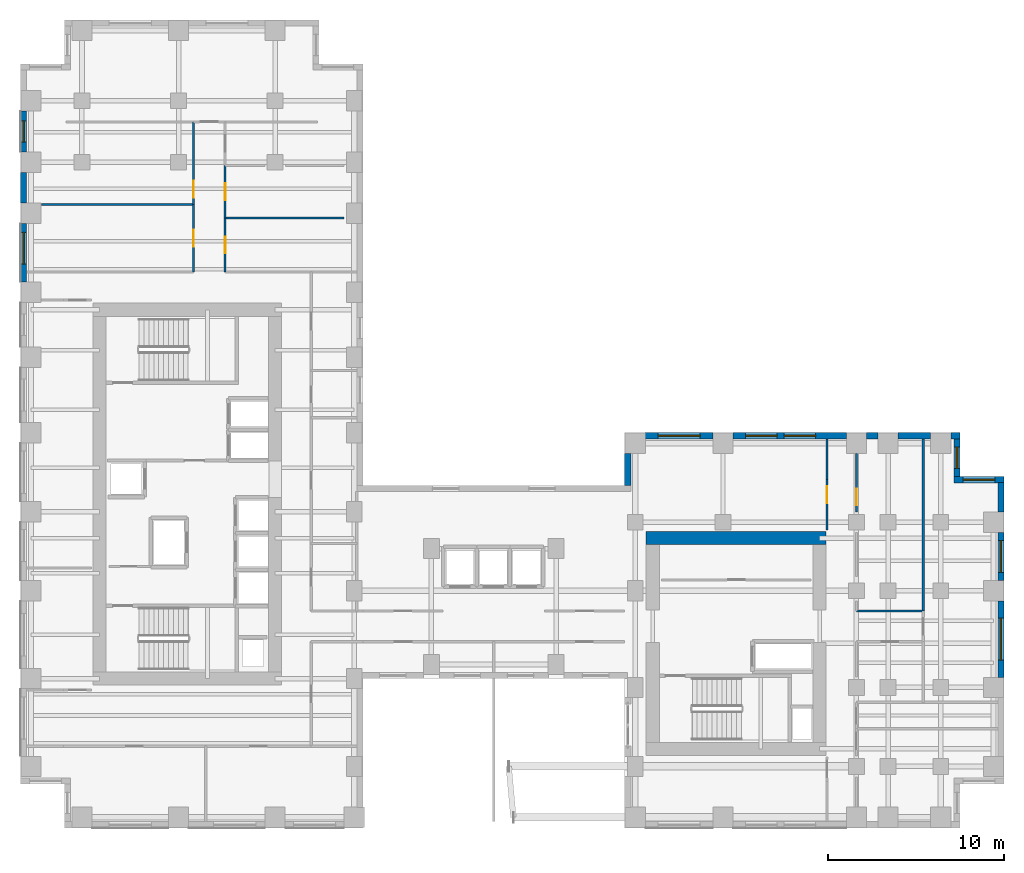
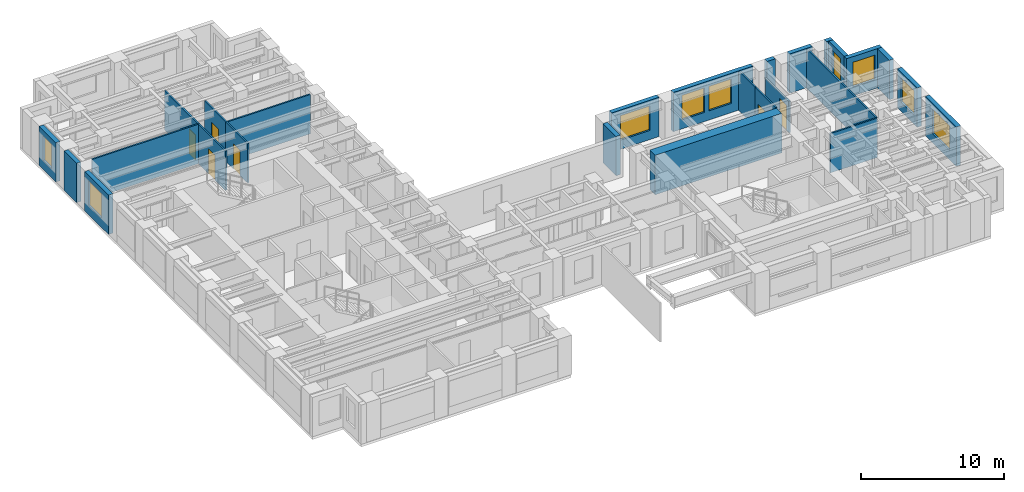
# One storey, part 11 of 14: 26 walls, 9 windows, 6 doors, 15 openings.
"""IFC4 building model written with IfcOpenShell, lengths in metres."""

from ifc_helpers import new_model, si_unit, direction, frame, frame_2d, origin, place, context, subcontext, project, spatial, rectangle, extrude, source, transform, mapped, material, layer, layer_set, type_object, element, fill, save


model = new_model("IFC4")

# Units and contexts
model_context = context("Model", 3, precision=1e-05, world=origin(), true_north=direction((0.0, 1.0)))
body_context = subcontext(model_context, "Body", "Model", "MODEL_VIEW")
ifc_project = project(units=[si_unit("LENGTHUNIT", "METRE"), si_unit("AREAUNIT", "SQUARE_METRE"), si_unit("VOLUMEUNIT", "CUBIC_METRE"), si_unit("PLANEANGLEUNIT", "RADIAN"), si_unit("MASSUNIT", "GRAM", prefix="KILO")], contexts=[model_context])

# Site, building, storey
site_placement = place(None, origin())
site = spatial("IfcSite", under=ifc_project, at=site_placement, CompositionType="ELEMENT")
building_placement = place(site_placement, origin())
building = spatial("IfcBuilding", under=site, at=building_placement, Name="Kharzan Plaza Tower", CompositionType="ELEMENT")
storey_placement = place(building_placement, frame((0.0, 0.0, 102.60009765625)))
storey = spatial("IfcBuildingStorey", under=building, at=storey_placement, Name="L27", CompositionType="ELEMENT", Elevation=102.60009765625)

# Wall, opening, window
ifc_material_1 = material(Name="Concrete C40/50", Category="concrete")
ifc_layer_1 = layer(ifc_material_1, 0.35009765625)
ifc_layer_set_1 = layer_set([ifc_layer_1], Name="Concrete C40/50")
wall_type_1 = type_object("IfcWallType", Name="WL-EXT-MAS-Z2", PredefinedType="SOLIDWALL", material=ifc_layer_set_1)
wall_1_placement = place(storey_placement, frame((0.175048828125, 40.826904296875, 0.0), z_axis=(0.0, 0.0, 1.0), x_axis=(0.0, -1.0, 0.0)))
wall_1 = element("IfcWall", 1, at=wall_1_placement, inside=storey, type_object=wall_type_1, Name="L27 Masonry-Frame Exterior Wall 17", PredefinedType="SOLIDWALL", context=body_context, shape_type="SweptSolid", body=[
    extrude(rectangle(XDim=2.35400390625, YDim=0.35009765625, at=frame_2d((1.177001953125, 0.0))), origin(), (0.0, 0.0, 1.0), 3.364990234375),
])
opening_1_placement = place(wall_1_placement, frame((0.576904296875, 0.0, 0.780029296875)))
opening_1 = element("IfcOpeningElement", 2, at=opening_1_placement, cuts=wall_1, Name="Opening W3", PredefinedType="OPENING", context=body_context, shape_type="SweptSolid", body=[
    extrude(rectangle(XDim=1.199951171875, YDim=2.10009765625, at=frame_2d((0.60009765625, 1.050048828125))), frame((0.0, 0.18505859375, 0.0), z_axis=(0.0, -1.0, 0.0), x_axis=(1.0, 0.0, 0.0)), (0.0, 0.0, 1.0), 0.3701171875),
])
ifc_material_2 = material(Name="Low-E Double Glazing", Category="glass")
window_type_1 = type_object("IfcWindowType", Name="WN-REC-1200x2100", PartitioningType="SINGLE_PANEL", PredefinedType="WINDOW", material=ifc_material_2)
shared_shape_1 = source(origin(), body_context, "Body", "SweptSolid", [
    extrude(rectangle(XDim=1.199951171875, YDim=2.10009765625, at=frame_2d((0.60009765625, 1.050048828125))), frame((0.0, 0.030029296875, 0.0), z_axis=(0.0, -1.0, 0.0), x_axis=(1.0, 0.0, 0.0)), (0.0, 0.0, 1.0), 0.06005859375),
])
window_1_placement = place(opening_1_placement, origin())
window_1 = element("IfcWindow", 3, at=window_1_placement, inside=storey, type_object=window_type_1, Name="L27 Recessed Solar-Control Window 17-1", OverallHeight=2.10009765625, OverallWidth=1.199951171875, PartitioningType="SINGLE_PANEL", PredefinedType="WINDOW", context=body_context, shape_type="MappedRepresentation", body=[
    mapped(shared_shape_1, transform((0.0, 0.0, 0.0), x_axis=(1.0, 0.0, 0.0), y_axis=(0.0, 1.0, 0.0), z_axis=(0.0, 0.0, 1.0))),
])
fill(opening_1, window_1)

wall_2_placement = place(storey_placement, frame((0.175048828125, 34.427001953125, 0.0), z_axis=(0.0, 0.0, 1.0), x_axis=(0.0, -1.0, 0.0)))
wall_2 = element("IfcWall", 4, at=wall_2_placement, inside=storey, type_object=wall_type_1, Name="L27 Masonry-Frame Exterior Wall 19", PredefinedType="SOLIDWALL", context=body_context, shape_type="SweptSolid", body=[
    extrude(rectangle(XDim=3.35400390625, YDim=0.35009765625, at=frame_2d((1.677001953125, 0.0))), origin(), (0.0, 0.0, 1.0), 3.364990234375),
])
opening_2_placement = place(wall_2_placement, frame((0.5234375, 0.0, 0.780029296875)))
opening_2 = element("IfcOpeningElement", 5, at=opening_2_placement, cuts=wall_2, Name="Opening W1", PredefinedType="OPENING", context=body_context, shape_type="SweptSolid", body=[
    extrude(rectangle(XDim=1.800048828125, YDim=2.10009765625, at=frame_2d((0.89990234375, 1.050048828125))), frame((0.0, 0.18505859375, 0.0), z_axis=(0.0, -1.0, 0.0), x_axis=(1.0, 0.0, 0.0)), (0.0, 0.0, 1.0), 0.3701171875),
])
window_type_2 = type_object("IfcWindowType", Name="WN-REC-1800x2100", PartitioningType="SINGLE_PANEL", PredefinedType="WINDOW", material=ifc_material_2)
shared_shape_2 = source(origin(), body_context, "Body", "SweptSolid", [
    extrude(rectangle(XDim=1.800048828125, YDim=2.10009765625, at=frame_2d((0.89990234375, 1.050048828125))), frame((0.0, 0.030029296875, 0.0), z_axis=(0.0, -1.0, 0.0), x_axis=(1.0, 0.0, 0.0)), (0.0, 0.0, 1.0), 0.06005859375),
])
window_2_placement = place(opening_2_placement, origin())
window_2 = element("IfcWindow", 6, at=window_2_placement, inside=storey, type_object=window_type_2, Name="L27 Recessed Solar-Control Window 19-1", OverallHeight=2.10009765625, OverallWidth=1.800048828125, PartitioningType="SINGLE_PANEL", PredefinedType="WINDOW", context=body_context, shape_type="MappedRepresentation", body=[
    mapped(shared_shape_2, transform((0.0, 0.0, 0.0), x_axis=(1.0, 0.0, 0.0), y_axis=(0.0, 1.0, 0.0), z_axis=(0.0, 0.0, 1.0))),
])
fill(opening_2, window_2)

wall_3_placement = place(storey_placement, frame((55.824951171875, 8.572998046875, 0.0), z_axis=(0.0, 0.0, 1.0), x_axis=(0.0, 1.0, 0.0)))
wall_3 = element("IfcWall", 7, at=wall_3_placement, inside=storey, type_object=wall_type_1, Name="L27 Masonry-Frame Exterior Wall 48", PredefinedType="SOLIDWALL", context=body_context, shape_type="SweptSolid", body=[
    extrude(rectangle(XDim=4.35400390625, YDim=0.35009765625, at=frame_2d((2.177001953125, 0.0))), origin(), (0.0, 0.0, 1.0), 3.364990234375),
])
opening_3_placement = place(wall_3_placement, frame((0.97705078125, 0.0, 0.780029296875)))
opening_3 = element("IfcOpeningElement", 8, at=opening_3_placement, cuts=wall_3, Name="Opening W2", PredefinedType="OPENING", context=body_context, shape_type="SweptSolid", body=[
    extrude(rectangle(XDim=2.39990234375, YDim=2.10009765625, at=frame_2d((1.199951171875, 1.050048828125))), frame((0.0, 0.18505859375, 0.0), z_axis=(0.0, -1.0, 0.0), x_axis=(1.0, 0.0, 0.0)), (0.0, 0.0, 1.0), 0.3701171875),
])
window_type_3 = type_object("IfcWindowType", Name="WN-REC-2400x2100", PartitioningType="SINGLE_PANEL", PredefinedType="WINDOW", material=ifc_material_2)
shared_shape_3 = source(origin(), body_context, "Body", "SweptSolid", [
    extrude(rectangle(XDim=2.39990234375, YDim=2.10009765625, at=frame_2d((1.199951171875, 1.050048828125))), frame((0.0, 0.030029296875, 0.0), z_axis=(0.0, -1.0, 0.0), x_axis=(1.0, 0.0, 0.0)), (0.0, 0.0, 1.0), 0.06005859375),
])
window_3_placement = place(opening_3_placement, origin())
window_3 = element("IfcWindow", 9, at=window_3_placement, inside=storey, type_object=window_type_3, Name="L27 Wide Recessed Solar-Control Window 48-1", OverallHeight=2.10009765625, OverallWidth=2.39990234375, PartitioningType="SINGLE_PANEL", PredefinedType="WINDOW", context=body_context, shape_type="MappedRepresentation", body=[
    mapped(shared_shape_3, transform((0.0, 0.0, 0.0), x_axis=(1.0, 0.0, 0.0), y_axis=(0.0, 1.0, 0.0), z_axis=(0.0, 0.0, 1.0))),
])
fill(opening_3, window_3)

wall_4_placement = place(storey_placement, frame((55.824951171875, 14.072998046875, 0.0), z_axis=(0.0, 0.0, 1.0), x_axis=(0.0, 1.0, 0.0)))
wall_4 = element("IfcWall", 10, at=wall_4_placement, inside=storey, type_object=wall_type_1, Name="L27 Masonry-Frame Exterior Wall 49", PredefinedType="SOLIDWALL", context=body_context, shape_type="SweptSolid", body=[
    extrude(rectangle(XDim=2.75390625, YDim=0.35009765625, at=frame_2d((1.376953125, 0.0))), origin(), (0.0, 0.0, 1.0), 3.364990234375),
])
opening_4_placement = place(wall_4_placement, frame((0.47705078125, 0.0, 0.780029296875)))
opening_4 = element("IfcOpeningElement", 11, at=opening_4_placement, cuts=wall_4, Name="Opening W1", PredefinedType="OPENING", context=body_context, shape_type="SweptSolid", body=[
    extrude(rectangle(XDim=1.800048828125, YDim=2.10009765625, at=frame_2d((0.89990234375, 1.050048828125))), frame((0.0, 0.18505859375, 0.0), z_axis=(0.0, -1.0, 0.0), x_axis=(1.0, 0.0, 0.0)), (0.0, 0.0, 1.0), 0.3701171875),
])
window_4_placement = place(opening_4_placement, origin())
window_4 = element("IfcWindow", 12, at=window_4_placement, inside=storey, type_object=window_type_2, Name="L27 Recessed Solar-Control Window 49-1", OverallHeight=2.10009765625, OverallWidth=1.800048828125, PartitioningType="SINGLE_PANEL", PredefinedType="WINDOW", context=body_context, shape_type="MappedRepresentation", body=[
    mapped(shared_shape_2, transform((0.0, 0.0, 0.0), x_axis=(1.0, 0.0, 0.0), y_axis=(0.0, 1.0, 0.0), z_axis=(0.0, 0.0, 1.0))),
])
fill(opening_4, window_4)

wall_5_placement = place(storey_placement, frame((56.0, 19.824951171875, 0.0), z_axis=(0.0, 0.0, 1.0), x_axis=(-1.0, 0.0, 0.0)))
wall_5 = element("IfcWall", 13, at=wall_5_placement, inside=storey, type_object=wall_type_1, Name="L27 Masonry-Frame Exterior Wall 51", PredefinedType="SOLIDWALL", context=body_context, shape_type="SweptSolid", body=[
    extrude(rectangle(XDim=2.85009765625, YDim=0.35009765625, at=frame_2d((1.425048828125, 0.0))), origin(), (0.0, 0.0, 1.0), 3.364990234375),
])
opening_5_placement = place(wall_5_placement, frame((0.52490234375, 0.0, 0.780029296875)))
opening_5 = element("IfcOpeningElement", 14, at=opening_5_placement, cuts=wall_5, Name="Opening W1", PredefinedType="OPENING", context=body_context, shape_type="SweptSolid", body=[
    extrude(rectangle(XDim=1.800048828125, YDim=2.10009765625, at=frame_2d((0.89990234375, 1.050048828125))), frame((0.0, 0.18505859375, 0.0), z_axis=(0.0, -1.0, 0.0), x_axis=(1.0, 0.0, 0.0)), (0.0, 0.0, 1.0), 0.3701171875),
])
window_5_placement = place(opening_5_placement, origin())
window_5 = element("IfcWindow", 15, at=window_5_placement, inside=storey, type_object=window_type_2, Name="L27 Recessed Solar-Control Window 51-1", OverallHeight=2.10009765625, OverallWidth=1.800048828125, PartitioningType="SINGLE_PANEL", PredefinedType="WINDOW", context=body_context, shape_type="MappedRepresentation", body=[
    mapped(shared_shape_2, transform((0.0, 0.0, 0.0), x_axis=(1.0, 0.0, 0.0), y_axis=(0.0, 1.0, 0.0), z_axis=(0.0, 0.0, 1.0))),
])
fill(opening_5, window_5)

wall_6_placement = place(storey_placement, frame((53.324951171875, 19.998046875, 0.0), z_axis=(0.0, 0.0, 1.0), x_axis=(0.0, 1.0, 0.0)))
wall_6 = element("IfcWall", 16, at=wall_6_placement, inside=storey, type_object=wall_type_1, Name="L27 Masonry-Frame Exterior Wall 52", PredefinedType="SOLIDWALL", context=body_context, shape_type="SweptSolid", body=[
    extrude(rectangle(XDim=2.154052734375, YDim=0.35009765625, at=frame_2d((1.0771484375, 0.0))), origin(), (0.0, 0.0, 1.0), 3.364990234375),
])
opening_6_placement = place(wall_6_placement, frame((0.47705078125, 0.0, 0.780029296875)))
opening_6 = element("IfcOpeningElement", 17, at=opening_6_placement, cuts=wall_6, Name="Opening W3", PredefinedType="OPENING", context=body_context, shape_type="SweptSolid", body=[
    extrude(rectangle(XDim=1.199951171875, YDim=2.10009765625, at=frame_2d((0.60009765625, 1.050048828125))), frame((0.0, 0.18505859375, 0.0), z_axis=(0.0, -1.0, 0.0), x_axis=(1.0, 0.0, 0.0)), (0.0, 0.0, 1.0), 0.3701171875),
])
window_6_placement = place(opening_6_placement, origin())
window_6 = element("IfcWindow", 18, at=window_6_placement, inside=storey, type_object=window_type_1, Name="L27 Recessed Solar-Control Window 52-1", OverallHeight=2.10009765625, OverallWidth=1.199951171875, PartitioningType="SINGLE_PANEL", PredefinedType="WINDOW", context=body_context, shape_type="MappedRepresentation", body=[
    mapped(shared_shape_1, transform((0.0, 0.0, 0.0), x_axis=(1.0, 0.0, 0.0), y_axis=(0.0, 1.0, 0.0), z_axis=(0.0, 0.0, 1.0))),
])
fill(opening_6, window_6)

# Wall, openings, windows
wall_7_placement = place(storey_placement, frame((47.027099609375, 22.324951171875, 0.0), z_axis=(0.0, 0.0, 1.0), x_axis=(-1.0, 0.0, 0.0)))
wall_7 = element("IfcWall", 19, at=wall_7_placement, inside=storey, type_object=wall_type_1, Name="L27 Masonry-Frame Exterior Wall 56", PredefinedType="SOLIDWALL", context=body_context, shape_type="SweptSolid", body=[
    extrude(rectangle(XDim=6.4541015625, YDim=0.35009765625, at=frame_2d((3.22705078125, 0.0))), origin(), (0.0, 0.0, 1.0), 3.364990234375),
])
opening_7_placement = place(wall_7_placement, frame((1.749267578125, 0.0, 0.780029296875)))
opening_7 = element("IfcOpeningElement", 20, at=opening_7_placement, cuts=wall_7, Name="Opening W1", PredefinedType="OPENING", context=body_context, shape_type="SweptSolid", body=[
    extrude(rectangle(XDim=1.800048828125, YDim=2.10009765625, at=frame_2d((0.89990234375, 1.050048828125))), frame((0.0, 0.18505859375, 0.0), z_axis=(0.0, -1.0, 0.0), x_axis=(1.0, 0.0, 0.0)), (0.0, 0.0, 1.0), 0.3701171875),
])
opening_8_placement = place(wall_7_placement, frame((3.941650390625, 0.0, 0.780029296875)))
opening_8 = element("IfcOpeningElement", 21, at=opening_8_placement, cuts=wall_7, Name="Opening W1", PredefinedType="OPENING", context=body_context, shape_type="SweptSolid", body=[
    extrude(rectangle(XDim=1.800048828125, YDim=2.10009765625, at=frame_2d((0.89990234375, 1.050048828125))), frame((0.0, 0.18505859375, 0.0), z_axis=(0.0, -1.0, 0.0), x_axis=(1.0, 0.0, 0.0)), (0.0, 0.0, 1.0), 0.3701171875),
])
window_7_placement = place(opening_7_placement, origin())
window_7 = element("IfcWindow", 22, at=window_7_placement, inside=storey, type_object=window_type_2, Name="L27 Recessed Solar-Control Window 56-1", OverallHeight=2.10009765625, OverallWidth=1.800048828125, PartitioningType="SINGLE_PANEL", PredefinedType="WINDOW", context=body_context, shape_type="MappedRepresentation", body=[
    mapped(shared_shape_2, transform((0.0, 0.0, 0.0), x_axis=(1.0, 0.0, 0.0), y_axis=(0.0, 1.0, 0.0), z_axis=(0.0, 0.0, 1.0))),
])
fill(opening_7, window_7)
window_8_placement = place(opening_8_placement, origin())
window_8 = element("IfcWindow", 23, at=window_8_placement, inside=storey, type_object=window_type_2, Name="L27 Recessed Solar-Control Window 56-2", OverallHeight=2.10009765625, OverallWidth=1.800048828125, PartitioningType="SINGLE_PANEL", PredefinedType="WINDOW", context=body_context, shape_type="MappedRepresentation", body=[
    mapped(shared_shape_2, transform((0.0, 0.0, 0.0), x_axis=(1.0, 0.0, 0.0), y_axis=(0.0, 1.0, 0.0), z_axis=(0.0, 0.0, 1.0))),
])
fill(opening_8, window_8)

# Wall, opening, window
wall_8_placement = place(storey_placement, frame((39.427001953125, 22.324951171875, 0.0), z_axis=(0.0, 0.0, 1.0), x_axis=(-1.0, 0.0, 0.0)))
wall_8 = element("IfcWall", 24, at=wall_8_placement, inside=storey, type_object=wall_type_1, Name="L27 Masonry-Frame Exterior Wall 57", PredefinedType="SOLIDWALL", context=body_context, shape_type="SweptSolid", body=[
    extrude(rectangle(XDim=3.85400390625, YDim=0.35009765625, at=frame_2d((1.927001953125, 0.0))), origin(), (0.0, 0.0, 1.0), 3.364990234375),
])
opening_9_placement = place(wall_8_placement, frame((0.72705078125, 0.0, 0.780029296875)))
opening_9 = element("IfcOpeningElement", 25, at=opening_9_placement, cuts=wall_8, Name="Opening W2", PredefinedType="OPENING", context=body_context, shape_type="SweptSolid", body=[
    extrude(rectangle(XDim=2.39990234375, YDim=2.10009765625, at=frame_2d((1.199951171875, 1.050048828125))), frame((0.0, 0.18505859375, 0.0), z_axis=(0.0, -1.0, 0.0), x_axis=(1.0, 0.0, 0.0)), (0.0, 0.0, 1.0), 0.3701171875),
])
window_9_placement = place(opening_9_placement, origin())
window_9 = element("IfcWindow", 26, at=window_9_placement, inside=storey, type_object=window_type_3, Name="L27 Wide Recessed Solar-Control Window 57-1", OverallHeight=2.10009765625, OverallWidth=2.39990234375, PartitioningType="SINGLE_PANEL", PredefinedType="WINDOW", context=body_context, shape_type="MappedRepresentation", body=[
    mapped(shared_shape_3, transform((0.0, 0.0, 0.0), x_axis=(1.0, 0.0, 0.0), y_axis=(0.0, 1.0, 0.0), z_axis=(0.0, 0.0, 1.0))),
])
fill(opening_9, window_9)

# Wall, opening, door
ifc_material_3 = material(Name="Fire-Rated Gypsum Board Partition", Category="gypsum")
ifc_layer_2 = layer(ifc_material_3, 0.125)
ifc_layer_set_2 = layer_set([ifc_layer_2], Name="Fire-Rated Gypsum Board Partition")
wall_type_2 = type_object("IfcWallType", Name="WL-INT-PART-125", PredefinedType="PARTITIONING", material=ifc_layer_set_2)
wall_9_placement = place(storey_placement, frame((47.60009765625, 17.989990234375, 0.0), z_axis=(0.0, 0.0, 1.0), x_axis=(0.0, 1.0, 0.0)))
wall_9 = element("IfcWall", 27, at=wall_9_placement, inside=storey, type_object=wall_type_2, Name="L27 Interior Partition SH-B2W3D-S2", PredefinedType="PARTITIONING", context=body_context, shape_type="SweptSolid", body=[
    extrude(rectangle(XDim=3.320068359375, YDim=0.125, at=frame_2d((1.66015625, 0.0))), origin(), (0.0, 0.0, 1.0), 2.677001953125),
])
opening_10_placement = place(wall_9_placement, frame((0.381103515625, 0.0, 0.0)))
opening_10 = element("IfcOpeningElement", 28, at=opening_10_placement, cuts=wall_9, Name="Opening OD1", PredefinedType="OPENING", context=body_context, shape_type="SweptSolid", body=[
    extrude(rectangle(XDim=0.949951171875, YDim=2.14990234375, at=frame_2d((0.47509765625, 1.074951171875))), frame((0.0, 0.072509765625, 0.0), z_axis=(0.0, -1.0, 0.0), x_axis=(1.0, 0.0, 0.0)), (0.0, 0.0, 1.0), 0.14501953125),
])
ifc_material_4 = material(Name="Acoustic Solid-Core Stained Oak", Category="timber")
door_type = type_object("IfcDoorType", Name="DR-OFF-SINGLE", OperationType="NOTDEFINED", PredefinedType="DOOR", material=ifc_material_4)
shared_shape_4 = source(origin(), body_context, "Body", "SweptSolid", [
    extrude(rectangle(XDim=0.949951171875, YDim=2.14990234375, at=frame_2d((0.47509765625, 1.074951171875))), frame((0.0, 0.02490234375, 0.0), z_axis=(0.0, -1.0, 0.0), x_axis=(1.0, 0.0, 0.0)), (0.0, 0.0, 1.0), 0.050048828125),
])
door_1_placement = place(opening_10_placement, origin())
door_1 = element("IfcDoor", 29, at=door_1_placement, inside=storey, type_object=door_type, Name="L27 Spur North Office Door", OperationType="SINGLE_SWING_RIGHT", OverallHeight=2.14990234375, OverallWidth=0.949951171875, PredefinedType="DOOR", context=body_context, shape_type="MappedRepresentation", body=[
    mapped(shared_shape_4, transform((0.0, 0.0, 0.0), x_axis=(1.0, 0.0, 0.0), y_axis=(0.0, 1.0, 0.0), z_axis=(0.0, 0.0, 1.0))),
])
fill(opening_10, door_1)

wall_10_placement = place(storey_placement, frame((45.919921875, 16.949951171875, 0.0), z_axis=(0.0, 0.0, 1.0), x_axis=(0.0, 1.0, 0.0)))
wall_10 = element("IfcWall", 30, at=wall_10_placement, inside=storey, type_object=wall_type_2, Name="L27 Interior Partition SH-RBNE", PredefinedType="PARTITIONING", context=body_context, shape_type="SweptSolid", body=[
    extrude(rectangle(XDim=2.900146484375, YDim=0.125, at=frame_2d((1.4501953125, 0.0))), origin(), (0.0, 0.0, 1.0), 3.364990234375),
])
opening_11_placement = place(wall_10_placement, frame((1.54296875, 0.0, 0.0)))
opening_11 = element("IfcOpeningElement", 31, at=opening_11_placement, cuts=wall_10, Name="Opening OD1", PredefinedType="OPENING", context=body_context, shape_type="SweptSolid", body=[
    extrude(rectangle(XDim=0.949951171875, YDim=2.14990234375, at=frame_2d((0.47509765625, 1.074951171875))), frame((0.0, 0.072509765625, 0.0), z_axis=(0.0, -1.0, 0.0), x_axis=(1.0, 0.0, 0.0)), (0.0, 0.0, 1.0), 0.14501953125),
])
door_2_placement = place(opening_11_placement, origin())
door_2 = element("IfcDoor", 32, at=door_2_placement, inside=storey, type_object=door_type, Name="L27 Wing B North Studio Door", OperationType="SINGLE_SWING_LEFT", OverallHeight=2.14990234375, OverallWidth=0.949951171875, PredefinedType="DOOR", context=body_context, shape_type="MappedRepresentation", body=[
    mapped(shared_shape_4, transform((0.0, 0.0, 0.0), x_axis=(1.0, 0.0, 0.0), y_axis=(0.0, 1.0, 0.0), z_axis=(0.0, 0.0, 1.0))),
])
fill(opening_11, door_2)

wall_11_placement = place(storey_placement, frame((11.64990234375, 31.64990234375, 0.0), z_axis=(0.0, 0.0, 1.0), x_axis=(0.0, 1.0, 0.0)))
wall_11 = element("IfcWall", 33, at=wall_11_placement, inside=storey, type_object=wall_type_2, Name="L27 Interior Partition SH-SPE-1", PredefinedType="PARTITIONING", context=body_context, shape_type="SweptSolid", body=[
    extrude(rectangle(XDim=3.078125, YDim=0.125, at=frame_2d((1.5390625, 0.0))), origin(), (0.0, 0.0, 1.0), 3.364990234375),
])
opening_12_placement = place(wall_11_placement, frame((1.06396484375, 0.0, 0.0)))
opening_12 = element("IfcOpeningElement", 34, at=opening_12_placement, cuts=wall_11, Name="Opening OD1", PredefinedType="OPENING", context=body_context, shape_type="SweptSolid", body=[
    extrude(rectangle(XDim=0.949951171875, YDim=2.14990234375, at=frame_2d((0.47509765625, 1.074951171875))), frame((0.0, 0.072509765625, 0.0), z_axis=(0.0, -1.0, 0.0), x_axis=(1.0, 0.0, 0.0)), (0.0, 0.0, 1.0), 0.14501953125),
])
door_3_placement = place(opening_12_placement, origin())
door_3 = element("IfcDoor", 35, at=door_3_placement, inside=storey, type_object=door_type, Name="L27 Cybersecurity Operations Office Door", OperationType="SINGLE_SWING_LEFT", OverallHeight=2.14990234375, OverallWidth=0.949951171875, PredefinedType="DOOR", context=body_context, shape_type="MappedRepresentation", body=[
    mapped(shared_shape_4, transform((0.0, 0.0, 0.0), x_axis=(1.0, 0.0, 0.0), y_axis=(0.0, 1.0, 0.0), z_axis=(0.0, 0.0, 1.0))),
])
fill(opening_12, door_3)

wall_12_placement = place(storey_placement, frame((11.64990234375, 34.72802734375, 0.0), z_axis=(0.0, 0.0, 1.0), x_axis=(0.0, 1.0, 0.0)))
wall_12 = element("IfcWall", 36, at=wall_12_placement, inside=storey, type_object=wall_type_2, Name="L27 Interior Partition SH-SPE-2", PredefinedType="PARTITIONING", context=body_context, shape_type="SweptSolid", body=[
    extrude(rectangle(XDim=2.992919921875, YDim=0.125, at=frame_2d((1.49658203125, 0.0))), origin(), (0.0, 0.0, 1.0), 3.364990234375),
])
opening_13_placement = place(wall_12_placement, frame((1.021484375, 0.0, 0.0)))
opening_13 = element("IfcOpeningElement", 37, at=opening_13_placement, cuts=wall_12, Name="Opening OD1", PredefinedType="OPENING", context=body_context, shape_type="SweptSolid", body=[
    extrude(rectangle(XDim=0.949951171875, YDim=2.14990234375, at=frame_2d((0.47509765625, 1.074951171875))), frame((0.0, 0.072509765625, 0.0), z_axis=(0.0, -1.0, 0.0), x_axis=(1.0, 0.0, 0.0)), (0.0, 0.0, 1.0), 0.14501953125),
])
door_4_placement = place(opening_13_placement, origin())
door_4 = element("IfcDoor", 38, at=door_4_placement, inside=storey, type_object=door_type, Name="L27 Maritime Simulation Studio Door", OperationType="SINGLE_SWING_RIGHT", OverallHeight=2.14990234375, OverallWidth=0.949951171875, PredefinedType="DOOR", context=body_context, shape_type="MappedRepresentation", body=[
    mapped(shared_shape_4, transform((0.0, 0.0, 0.0), x_axis=(1.0, 0.0, 0.0), y_axis=(0.0, 1.0, 0.0), z_axis=(0.0, 0.0, 1.0))),
])
fill(opening_13, door_4)

wall_13_placement = place(storey_placement, frame((9.85009765625, 31.64990234375, 0.0), z_axis=(0.0, 0.0, 1.0), x_axis=(0.0, 1.0, 0.0)))
wall_13 = element("IfcWall", 39, at=wall_13_placement, inside=storey, type_object=wall_type_2, Name="L27 Interior Partition SH-SPW-1", PredefinedType="PARTITIONING", context=body_context, shape_type="SweptSolid", body=[
    extrude(rectangle(XDim=3.84814453125, YDim=0.125, at=frame_2d((1.924072265625, 0.0))), origin(), (0.0, 0.0, 1.0), 3.364990234375),
])
opening_14_placement = place(wall_13_placement, frame((1.448974609375, 0.0, 0.0)))
opening_14 = element("IfcOpeningElement", 40, at=opening_14_placement, cuts=wall_13, Name="Opening OD1", PredefinedType="OPENING", context=body_context, shape_type="SweptSolid", body=[
    extrude(rectangle(XDim=0.949951171875, YDim=2.14990234375, at=frame_2d((0.47509765625, 1.074951171875))), frame((0.0, 0.072509765625, 0.0), z_axis=(0.0, -1.0, 0.0), x_axis=(1.0, 0.0, 0.0)), (0.0, 0.0, 1.0), 0.14501953125),
])
door_5_placement = place(opening_14_placement, origin())
door_5 = element("IfcDoor", 41, at=door_5_placement, inside=storey, type_object=door_type, Name="L27 Sprint Review Meeting Room Door", OperationType="SINGLE_SWING_LEFT", OverallHeight=2.14990234375, OverallWidth=0.949951171875, PredefinedType="DOOR", context=body_context, shape_type="MappedRepresentation", body=[
    mapped(shared_shape_4, transform((0.0, 0.0, 0.0), x_axis=(1.0, 0.0, 0.0), y_axis=(0.0, 1.0, 0.0), z_axis=(0.0, 0.0, 1.0))),
])
fill(opening_14, door_5)

wall_14_placement = place(storey_placement, frame((9.85009765625, 35.498046875, 0.0), z_axis=(0.0, 0.0, 1.0), x_axis=(0.0, 1.0, 0.0)))
wall_14 = element("IfcWall", 42, at=wall_14_placement, inside=storey, type_object=wall_type_2, Name="L27 Interior Partition SH-SPW-2", PredefinedType="PARTITIONING", context=body_context, shape_type="SweptSolid", body=[
    extrude(rectangle(XDim=4.701904296875, YDim=0.125, at=frame_2d((2.35107421875, 0.0))), origin(), (0.0, 0.0, 1.0), 3.364990234375),
])
opening_15_placement = place(wall_14_placement, frame((0.39208984375, 0.0, 0.0)))
opening_15 = element("IfcOpeningElement", 43, at=opening_15_placement, cuts=wall_14, Name="Opening OD1", PredefinedType="OPENING", context=body_context, shape_type="SweptSolid", body=[
    extrude(rectangle(XDim=0.949951171875, YDim=2.14990234375, at=frame_2d((0.47509765625, 1.074951171875))), frame((0.0, 0.072509765625, 0.0), z_axis=(0.0, -1.0, 0.0), x_axis=(1.0, 0.0, 0.0)), (0.0, 0.0, 1.0), 0.14501953125),
])
door_6_placement = place(opening_15_placement, origin())
door_6 = element("IfcDoor", 44, at=door_6_placement, inside=storey, type_object=door_type, Name="L27 Staff Tea Pantry Door", OperationType="SINGLE_SWING_LEFT", OverallHeight=2.14990234375, OverallWidth=0.949951171875, PredefinedType="DOOR", context=body_context, shape_type="MappedRepresentation", body=[
    mapped(shared_shape_4, transform((0.0, 0.0, 0.0), x_axis=(1.0, 0.0, 0.0), y_axis=(0.0, 1.0, 0.0), z_axis=(0.0, 0.0, 1.0))),
])
fill(opening_15, door_6)

# Walls
shared_shape_5 = source(origin(), body_context, "Body", "SweptSolid", [
    extrude(rectangle(XDim=2.2978515625, YDim=0.125, at=frame_2d((1.14892578125, 0.0))), origin(), (0.0, 0.0, 1.0), 3.364990234375),
])
wall_15_placement = place(storey_placement, frame((45.919921875, 19.85009765625, 0.0), z_axis=(0.0, 0.0, 1.0), x_axis=(0.0, 1.0, 0.0)))
element("IfcWall", 45, at=wall_15_placement, inside=storey, type_object=wall_type_2, Name="L27 Interior Partition SH-RBNE0", PredefinedType="PARTITIONING", context=body_context, shape_type="MappedRepresentation", body=[
    mapped(shared_shape_5, transform((0.0, 0.0, 0.0), x_axis=(1.0, 0.0, 0.0), y_axis=(0.0, 1.0, 0.0), z_axis=(0.0, 0.0, 1.0))),
])
shared_shape_6 = source(origin(), body_context, "Body", "SweptSolid", [
    extrude(rectangle(XDim=3.7998046875, YDim=0.125, at=frame_2d((1.89990234375, 0.0))), origin(), (0.0, 0.0, 1.0), 3.364990234375),
])
wall_16_placement = place(storey_placement, frame((47.60009765625, 12.35009765625, 0.0), z_axis=(0.0, 0.0, 1.0), x_axis=(1.0, 0.0, 0.0)))
element("IfcWall", 46, at=wall_16_placement, inside=storey, type_object=wall_type_2, Name="L27 Interior Partition SH-B2N3", PredefinedType="PARTITIONING", context=body_context, shape_type="MappedRepresentation", body=[
    mapped(shared_shape_6, transform((0.0, 0.0, 0.0), x_axis=(1.0, 0.0, 0.0), y_axis=(0.0, 1.0, 0.0), z_axis=(0.0, 0.0, 1.0))),
])
shared_shape_7 = source(origin(), body_context, "Body", "SweptSolid", [
    extrude(rectangle(XDim=9.789794921875, YDim=0.125, at=frame_2d((4.89501953125, 0.0))), origin(), (0.0, 0.0, 1.0), 3.364990234375),
])
wall_17_placement = place(storey_placement, frame((51.39990234375, 12.35009765625, 0.0), z_axis=(0.0, 0.0, 1.0), x_axis=(0.0, 1.0, 0.0)))
element("IfcWall", 47, at=wall_17_placement, inside=storey, type_object=wall_type_2, Name="L27 Interior Partition SH-B2V2", PredefinedType="PARTITIONING", context=body_context, shape_type="MappedRepresentation", body=[
    mapped(shared_shape_7, transform((0.0, 0.0, 0.0), x_axis=(1.0, 0.0, 0.0), y_axis=(0.0, 1.0, 0.0), z_axis=(0.0, 0.0, 1.0))),
])
shared_shape_8 = source(origin(), body_context, "Body", "SweptSolid", [
    extrude(rectangle(XDim=1.75390625, YDim=0.35009765625, at=frame_2d((0.876953125, 0.0))), origin(), (0.0, 0.0, 1.0), 3.364990234375),
])
wall_18_placement = place(storey_placement, frame((0.175048828125, 37.326904296875, 0.0), z_axis=(0.0, 0.0, 1.0), x_axis=(0.0, -1.0, 0.0)))
element("IfcWall", 48, at=wall_18_placement, inside=storey, type_object=wall_type_1, Name="L27 Masonry-Frame Exterior Wall 18", PredefinedType="SOLIDWALL", context=body_context, shape_type="MappedRepresentation", body=[
    mapped(shared_shape_8, transform((0.0, 0.0, 0.0), x_axis=(1.0, 0.0, 0.0), y_axis=(0.0, 1.0, 0.0), z_axis=(0.0, 0.0, 1.0))),
])
shared_shape_9 = source(origin(), body_context, "Body", "SweptSolid", [
    extrude(rectangle(XDim=0.65380859375, YDim=0.35009765625, at=frame_2d((0.326904296875, 0.0))), origin(), (0.0, 0.0, 1.0), 3.364990234375),
])
wall_19_placement = place(storey_placement, frame((48.826904296875, 22.324951171875, 0.0), z_axis=(0.0, 0.0, 1.0), x_axis=(-1.0, 0.0, 0.0)))
element("IfcWall", 49, at=wall_19_placement, inside=storey, type_object=wall_type_1, Name="L27 Masonry-Frame Exterior Wall 55", PredefinedType="SOLIDWALL", context=body_context, shape_type="MappedRepresentation", body=[
    mapped(shared_shape_9, transform((0.0, 0.0, 0.0), x_axis=(1.0, 0.0, 0.0), y_axis=(0.0, 1.0, 0.0), z_axis=(0.0, 0.0, 1.0))),
])
shared_shape_10 = source(origin(), body_context, "Body", "SweptSolid", [
    extrude(rectangle(XDim=1.85400390625, YDim=0.35009765625, at=frame_2d((0.927001953125, 0.0))), origin(), (0.0, 0.0, 1.0), 3.364990234375),
])
wall_20_placement = place(storey_placement, frame((51.826904296875, 22.324951171875, 0.0), z_axis=(0.0, 0.0, 1.0), x_axis=(-1.0, 0.0, 0.0)))
element("IfcWall", 50, at=wall_20_placement, inside=storey, type_object=wall_type_1, Name="L27 Masonry-Frame Exterior Wall 54", PredefinedType="SOLIDWALL", context=body_context, shape_type="MappedRepresentation", body=[
    mapped(shared_shape_10, transform((0.0, 0.0, 0.0), x_axis=(1.0, 0.0, 0.0), y_axis=(0.0, 1.0, 0.0), z_axis=(0.0, 0.0, 1.0))),
])
shared_shape_11 = source(origin(), body_context, "Body", "SweptSolid", [
    extrude(rectangle(XDim=0.527099609375, YDim=0.35009765625, at=frame_2d((0.263671875, 0.0))), origin(), (0.0, 0.0, 1.0), 3.364990234375),
])
wall_21_placement = place(storey_placement, frame((53.5, 22.324951171875, 0.0), z_axis=(0.0, 0.0, 1.0), x_axis=(-1.0, 0.0, 0.0)))
element("IfcWall", 51, at=wall_21_placement, inside=storey, type_object=wall_type_1, Name="L27 Masonry-Frame Exterior Wall 53", PredefinedType="SOLIDWALL", context=body_context, shape_type="MappedRepresentation", body=[
    mapped(shared_shape_11, transform((0.0, 0.0, 0.0), x_axis=(1.0, 0.0, 0.0), y_axis=(0.0, 1.0, 0.0), z_axis=(0.0, 0.0, 1.0))),
])
shared_shape_12 = source(origin(), body_context, "Body", "SweptSolid", [
    extrude(rectangle(XDim=1.67919921875, YDim=0.35009765625, at=frame_2d((0.839599609375, 0.0))), origin(), (0.0, 0.0, 1.0), 3.364990234375),
])
wall_22_placement = place(storey_placement, frame((55.824951171875, 17.972900390625, 0.0), z_axis=(0.0, 0.0, 1.0), x_axis=(0.0, 1.0, 0.0)))
element("IfcWall", 52, at=wall_22_placement, inside=storey, type_object=wall_type_1, Name="L27 Masonry-Frame Exterior Wall 50", PredefinedType="SOLIDWALL", context=body_context, shape_type="MappedRepresentation", body=[
    mapped(shared_shape_12, transform((0.0, 0.0, 0.0), x_axis=(1.0, 0.0, 0.0), y_axis=(0.0, 1.0, 0.0), z_axis=(0.0, 0.0, 1.0))),
])
shared_shape_13 = source(origin(), body_context, "Body", "SweptSolid", [
    extrude(rectangle(XDim=6.760009765625, YDim=0.125, at=frame_2d((3.3798828125, 0.0))), origin(), (0.0, 0.0, 1.0), 3.364990234375),
])
wall_23_placement = place(storey_placement, frame((11.64990234375, 34.72802734375, 0.0), z_axis=(0.0, 0.0, 1.0), x_axis=(1.0, 0.0, 0.0)))
element("IfcWall", 53, at=wall_23_placement, inside=storey, type_object=wall_type_2, Name="L27 Interior Partition SH-NEH-1", PredefinedType="PARTITIONING", context=body_context, shape_type="MappedRepresentation", body=[
    mapped(shared_shape_13, transform((0.0, 0.0, 0.0), x_axis=(1.0, 0.0, 0.0), y_axis=(0.0, 1.0, 0.0), z_axis=(0.0, 0.0, 1.0))),
])
shared_shape_14 = source(origin(), body_context, "Body", "SweptSolid", [
    extrude(rectangle(XDim=8.66015625, YDim=0.125, at=frame_2d((4.330078125, 0.0))), origin(), (0.0, 0.0, 1.0), 3.364990234375),
])
wall_24_placement = place(storey_placement, frame((1.18994140625, 35.498046875, 0.0), z_axis=(0.0, 0.0, 1.0), x_axis=(1.0, 0.0, 0.0)))
element("IfcWall", 54, at=wall_24_placement, inside=storey, type_object=wall_type_2, Name="L27 Interior Partition SH-NWH-1", PredefinedType="PARTITIONING", context=body_context, shape_type="MappedRepresentation", body=[
    mapped(shared_shape_14, transform((0.0, 0.0, 0.0), x_axis=(1.0, 0.0, 0.0), y_axis=(0.0, 1.0, 0.0), z_axis=(0.0, 0.0, 1.0))),
])
ifc_material_5 = material(Name="Concrete C60/75", Category="concrete")
ifc_layer_3 = layer(ifc_material_5, 0.75)
ifc_layer_set_3 = layer_set([ifc_layer_3], Name="Concrete C60/75")
wall_type_3 = type_object("IfcWallType", Name="WL-CORE-750", PredefinedType="SHEAR", material=ifc_layer_set_3)
shared_shape_15 = source(origin(), body_context, "Body", "SweptSolid", [
    extrude(rectangle(XDim=10.25, YDim=0.75, at=frame_2d((5.125, 0.0))), origin(), (0.0, 0.0, 1.0), 3.3798828125),
])
wall_25_placement = place(storey_placement, frame((35.625, 16.5, 0.0), z_axis=(0.0, 0.0, 1.0), x_axis=(1.0, 0.0, 0.0)))
element("IfcWall", 55, at=wall_25_placement, inside=storey, type_object=wall_type_3, Name="L27 CORE-B north RC shear wall", PredefinedType="SHEAR", context=body_context, shape_type="MappedRepresentation", body=[
    mapped(shared_shape_15, transform((0.0, 0.0, 0.0), x_axis=(1.0, 0.0, 0.0), y_axis=(0.0, 1.0, 0.0), z_axis=(0.0, 0.0, 1.0))),
])
shared_shape_16 = source(origin(), body_context, "Body", "SweptSolid", [
    extrude(rectangle(XDim=1.828857421875, YDim=0.35009765625, at=frame_2d((0.91455078125, 0.0))), origin(), (0.0, 0.0, 1.0), 3.364990234375),
])
wall_26_placement = place(storey_placement, frame((34.574951171875, 21.326904296875, 0.0), z_axis=(0.0, 0.0, 1.0), x_axis=(0.0, -1.0, 0.0)))
element("IfcWall", 56, at=wall_26_placement, inside=storey, type_object=wall_type_1, Name="L27 Masonry-Frame Exterior Wall 58", PredefinedType="SOLIDWALL", context=body_context, shape_type="MappedRepresentation", body=[
    mapped(shared_shape_16, transform((0.0, 0.0, 0.0), x_axis=(1.0, 0.0, 0.0), y_axis=(0.0, 1.0, 0.0), z_axis=(0.0, 0.0, 1.0))),
])

save(model, "model.ifc")
